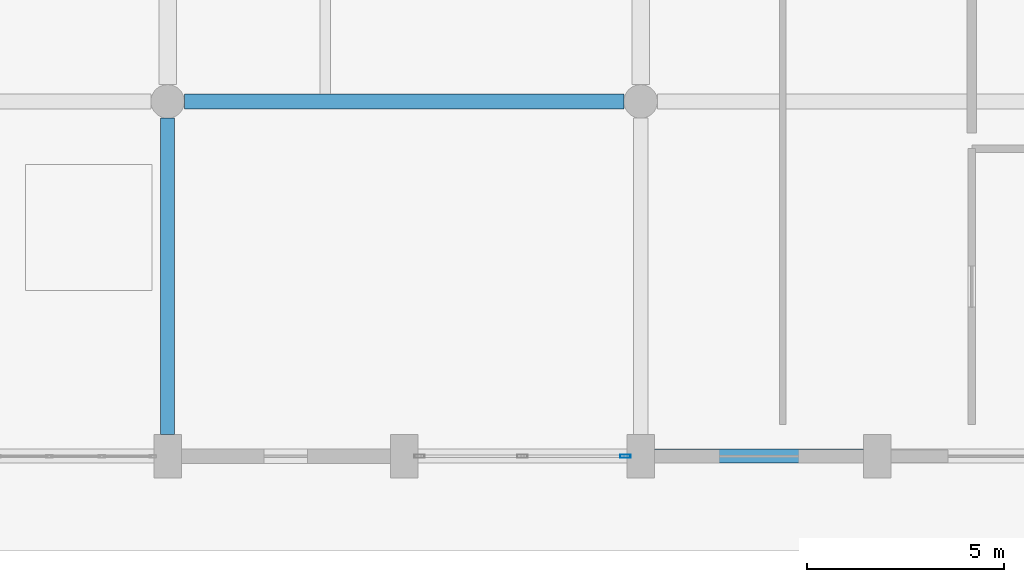
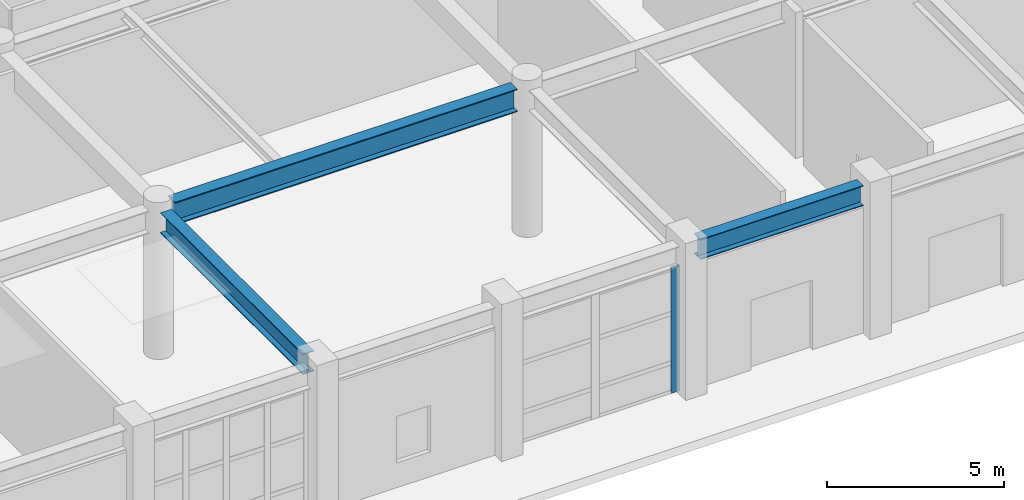
# One storey, part 16 of 91: 3 beams, 1 member, 1 element without a shape of its own.
"""IFC4 building model written with IfcOpenShell, lengths in metres."""

from ifc_helpers import new_model, si_unit, direction, frame, origin, origin_2d, place, context, subcontext, project, spatial, hollow_rectangle, i_section, extrude, material, layer, layer_set, material_profile, profile_set, type_object, element, aggregate, save


model = new_model("IFC4")

# Units and contexts
model_context = context("Model", 3, precision=1e-05, world=origin(), true_north=direction((0.0, 1.0)))
body_context = subcontext(model_context, "Body", "Model", "MODEL_VIEW")
ifc_project = project(units=[si_unit("LENGTHUNIT", "METRE"), si_unit("AREAUNIT", "SQUARE_METRE"), si_unit("VOLUMEUNIT", "CUBIC_METRE"), si_unit("PLANEANGLEUNIT", "RADIAN"), si_unit("MASSUNIT", "GRAM", prefix="KILO")], contexts=[model_context])

# Site, building, storey
site_placement = place(None, origin())
site = spatial("IfcSite", under=ifc_project, at=site_placement, CompositionType="ELEMENT")
building_placement = place(site_placement, origin())
building = spatial("IfcBuilding", under=site, at=building_placement, Name="Vaelkrest Opera House", CompositionType="ELEMENT")
storey_placement = place(building_placement, origin())
storey = spatial("IfcBuildingStorey", under=building, at=storey_placement, Name="L00", CompositionType="ELEMENT", Elevation=0.0)

# Beams
ifc_material_1 = material(Name="Steel A992 Gr50", Category="steel")
ifc_material_profile_1 = material_profile(ifc_material_1, i_section(OverallWidth=0.35791015625, OverallDepth=0.7060546875, WebThickness=0.018310546875, FlangeThickness=0.0302734375, at=origin_2d()), Name="W27X178")
ifc_profile_set_1 = profile_set([ifc_material_profile_1], Name="Steel A992 Gr50")
beam_type_1 = type_object("IfcBeamType", Name="B14", PredefinedType="BEAM", material=ifc_profile_set_1)
beam_1_placement = place(storey_placement, frame((-18.0, -55.25, 4.72705078125), z_axis=(0.0, 1.0, 0.0), x_axis=(-1.0, 0.0, 0.0)))
element("IfcBeam", 1, at=beam_1_placement, inside=storey, type_object=beam_type_1, Name="Beam BM-V1-L00-0154", PredefinedType="BEAM", context=body_context, shape_type="SweptSolid", body=[
    extrude(i_section(OverallWidth=0.35791015625, OverallDepth=0.7060546875, WebThickness=0.018310546875, FlangeThickness=0.0302734375, at=origin_2d()), origin(), (0.0, 0.0, 1.0), 8.02490234375),
])
ifc_material_profile_2 = material_profile(ifc_material_1, i_section(OverallWidth=0.384033203125, OverallDepth=0.785888671875, WebThickness=0.019775390625, FlangeThickness=0.033447265625, at=origin_2d()), Name="W30X211")
ifc_profile_set_2 = profile_set([ifc_material_profile_2], Name="Steel A992 Gr50")
beam_type_2 = type_object("IfcBeamType", Name="B16", PredefinedType="BEAM", material=ifc_profile_set_2)
beam_2_placement = place(storey_placement, frame((-17.574951171875, -46.800048828125, 4.68701171875), z_axis=(1.0, 0.0, 0.0), x_axis=(0.0, 1.0, 0.0)))
element("IfcBeam", 2, at=beam_2_placement, inside=storey, type_object=beam_type_2, Name="Beam BM-V1-L00-0096", PredefinedType="BEAM", context=body_context, shape_type="SweptSolid", body=[
    extrude(i_section(OverallWidth=0.384033203125, OverallDepth=0.785888671875, WebThickness=0.019775390625, FlangeThickness=0.033447265625, at=origin_2d()), origin(), (0.0, 0.0, 1.0), 11.14990234375),
])

# Curtain wall, member
ifc_material_2 = material(Name="Dark bronze anodized aluminium", Category="aluminium")
ifc_layer = layer(ifc_material_2, 0.25)
ifc_layer_set = layer_set([ifc_layer], Name="Dark bronze anodized aluminium")
curtain_wall_type = type_object("IfcCurtainWallType", Name="CW08", PredefinedType="NOTDEFINED", material=ifc_layer_set)
curtain_wall_placement = place(storey_placement, origin())
curtain_wall = element("IfcCurtainWall", 3, at=curtain_wall_placement, inside=storey, type_object=curtain_wall_type, Name="Curtain wall CW-L00-012", PredefinedType="NOTDEFINED")
ifc_material_profile_3 = material_profile(ifc_material_2, hollow_rectangle(XDim=0.080078125, YDim=0.260009765625, WallThickness=0.0048828125, at=origin_2d()), Name="CWM80X260")
ifc_profile_set_3 = profile_set([ifc_material_profile_3], Name="Dark bronze anodized aluminium")
member_type = type_object("IfcMemberType", Name="CWM04", PredefinedType="MULLION", material=ifc_profile_set_3)
member_placement = place(storey_placement, frame((-6.387939453125, -55.800048828125, 0.0), z_axis=(0.0, 0.0, 1.0), x_axis=(0.0, -1.0, 0.0)))
member = element("IfcMember", 4, at=member_placement, type_object=member_type, Name="CW08 mullion 1", PredefinedType="MULLION", context=body_context, shape_type="SweptSolid", body=[
    extrude(hollow_rectangle(XDim=0.080078125, YDim=0.260009765625, WallThickness=0.0048828125, at=origin_2d()), origin(), (0.0, 0.0, 1.0), 4.320068359375),
])
aggregate(curtain_wall, [member])

# Beam
ifc_material_profile_4 = material_profile(ifc_material_1, i_section(OverallWidth=0.35498046875, OverallDepth=0.695068359375, WebThickness=0.015380859375, FlangeThickness=0.02490234375, at=origin_2d()), Name="W27X146")
ifc_profile_set_4 = profile_set([ifc_material_profile_4], Name="Steel A992 Gr50")
beam_type_3 = type_object("IfcBeamType", Name="SP02", PredefinedType="SPANDREL", material=ifc_profile_set_4)
beam_3_placement = place(storey_placement, frame((-5.64990234375, -55.800048828125, 4.732421875), z_axis=(1.0, 0.0, 0.0), x_axis=(0.0, 1.0, 0.0)))
element("IfcBeam", 5, at=beam_3_placement, inside=storey, type_object=beam_type_3, Name="Beam BM-V1-L00-0089", PredefinedType="SPANDREL", context=body_context, shape_type="SweptSolid", body=[
    extrude(i_section(OverallWidth=0.35498046875, OverallDepth=0.695068359375, WebThickness=0.015380859375, FlangeThickness=0.02490234375, at=origin_2d()), origin(), (0.0, 0.0, 1.0), 5.2998046875),
])

save(model, "model.ifc")
